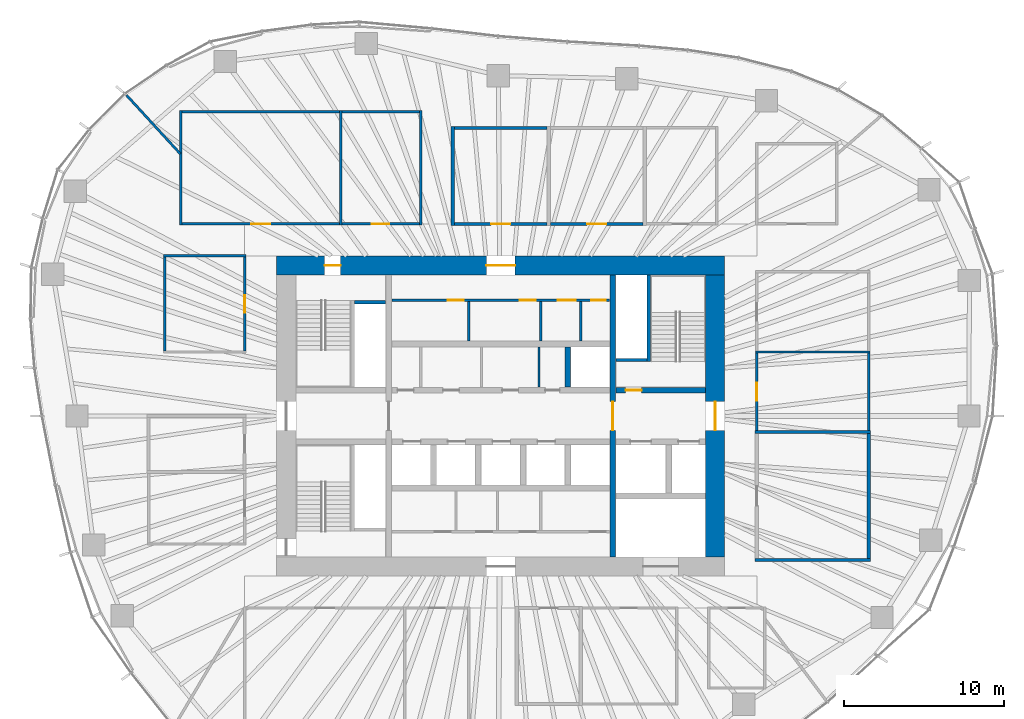
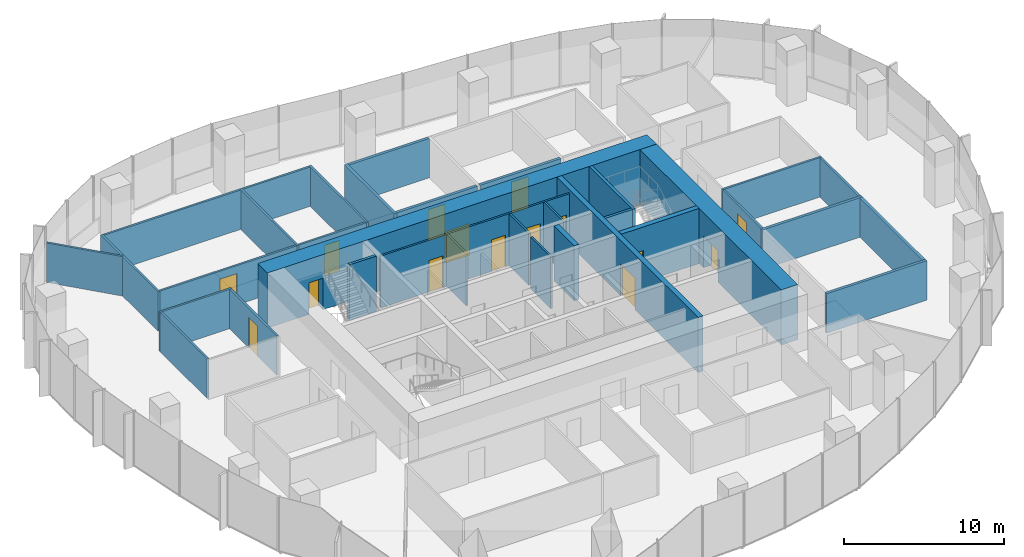
# One storey, part 10 of 18: 34 walls, 15 doors, 15 openings.
"""IFC4 building model written with IfcOpenShell, lengths in metres."""

import ifcopenshell
import ifcopenshell.guid

model = None  # the IFC model being written
_history = None  # IfcOwnerHistory: only IFC2X3 demands one
_inside = {}  # id of a spatial element -> (the spatial element, [elements in it])
_under = {}  # id of a project, library or spatial element -> (it, [spatial elements below it])
_declared = {}  # id of a project -> (the project, [libraries it declares])
_typed = {}  # id of a type object -> (the type object, [elements of that type])
_made_of = {}  # id of a material, layer set ... -> (it, [elements and type objects made of it])


def new_model(schema):
    """Start an empty IFC model of exactly this schema.

    Asked for "IFC4X3", IfcOpenShell would pick the latest addendum, in which some entities
    have other attributes; the version numbers below select the first issue.
    IFC2X3 requires an IfcOwnerHistory on every rooted entity: one is made here for all.
    """
    global model, _history
    if schema == "IFC4X3":
        model = ifcopenshell.file(schema_version=(4, 3, 0, 0))
    else:
        model = ifcopenshell.file(schema=schema)
    _inside.clear()
    _under.clear()
    _declared.clear()
    _typed.clear()
    _made_of.clear()
    _history = None
    if model.schema == "IFC2X3":
        org = make("IfcOrganization", Name="unknown")
        user = make(
            "IfcPersonAndOrganization",
            ThePerson=make("IfcPerson", FamilyName="unknown"),
            TheOrganization=org,
        )
        app = make(
            "IfcApplication",
            ApplicationDeveloper=org,
            Version="unknown",
            ApplicationFullName="unknown",
            ApplicationIdentifier="unknown",
        )
        _history = make(
            "IfcOwnerHistory",
            OwningUser=user,
            OwningApplication=app,
            ChangeAction="ADDED",
            CreationDate=0,
        )
    return model


def make(cls, **values):
    """One entity of the class cls with the attributes given. An attribute that is None is left unset."""
    return model.create_entity(
        cls, **{name: value for name, value in values.items() if value is not None}
    )


def rooted(cls, **values):
    """An entity with a GlobalId (a new one), such as an element, a storey or a relation."""
    return make(cls, GlobalId=ifcopenshell.guid.new(), OwnerHistory=_history, **values)


def si_unit(unit_type, name, prefix=None):
    """IfcSIUnit, for example si_unit("LENGTHUNIT", "METRE", prefix="MILLI")."""
    return make("IfcSIUnit", UnitType=unit_type, Prefix=prefix, Name=name)


def assignment(units):
    """IfcUnitAssignment: the units of a project."""
    return None if units is None else make("IfcUnitAssignment", Units=units)


def point(xyz):
    """IfcCartesianPoint."""
    return None if xyz is None else make("IfcCartesianPoint", Coordinates=xyz)


def direction(xyz):
    """IfcDirection."""
    return None if xyz is None else make("IfcDirection", DirectionRatios=xyz)


def frame(location, z_axis=None, x_axis=None):
    """IfcAxis2Placement3D, a coordinate frame: its origin and axes. An axis left out is left unset."""
    return make(
        "IfcAxis2Placement3D",
        Location=point(location),
        Axis=direction(z_axis),
        RefDirection=direction(x_axis),
    )


def frame_2d(location, x_axis=None):
    """IfcAxis2Placement2D, a coordinate frame in the plane: its origin and x axis."""
    return make(
        "IfcAxis2Placement2D", Location=point(location), RefDirection=direction(x_axis)
    )


def origin():
    """The frame at (0, 0, 0) with its axes left unset."""
    return frame((0.0, 0.0, 0.0))


def place(relative_to, where):
    """IfcLocalPlacement: puts the frame where relative to a parent placement (None: the world)."""
    return make(
        "IfcLocalPlacement", PlacementRelTo=relative_to, RelativePlacement=where
    )


def context(
    kind, dimensions, precision=None, world=None, true_north=None, identifier=None
):
    """IfcGeometricRepresentationContext, for example the 3D "Model" context."""
    return make(
        "IfcGeometricRepresentationContext",
        ContextIdentifier=identifier,
        ContextType=kind,
        CoordinateSpaceDimension=dimensions,
        Precision=precision,
        WorldCoordinateSystem=world,
        TrueNorth=true_north,
    )


def subcontext(parent, identifier, kind, view, scale=None):
    """IfcGeometricRepresentationSubContext, for example "Body" below "Model"."""
    return make(
        "IfcGeometricRepresentationSubContext",
        ContextIdentifier=identifier,
        ContextType=kind,
        ParentContext=parent,
        TargetScale=scale,
        TargetView=view,
    )


def project(units=None, contexts=None):
    """IfcProject with its units and contexts."""
    return rooted(
        "IfcProject",
        Name="project",
        RepresentationContexts=contexts,
        UnitsInContext=assignment(units),
    )


def spatial(cls, under=None, at=None, **own):
    """A site, building, storey or space (cls), placed at a placement, below another one or the project."""
    s = rooted(cls, ObjectPlacement=at, **own)
    if under is not None:
        _under.setdefault(under.id(), (under, []))[1].append(s)
    return s


def profile(cls, at=None, kind="AREA", **sizes):
    """A parametric profile (cls). Its sizes go by their IFC names, for example OverallWidth=200.0."""
    return make(cls, ProfileType=kind, Position=at, **sizes)


def rectangle(**sizes):
    """IfcRectangleProfileDef."""
    return profile("IfcRectangleProfileDef", **sizes)


def extrude(swept, where, along, depth):
    """IfcExtrudedAreaSolid: the profile swept, set in the frame where, extruded along a direction by depth."""
    return make(
        "IfcExtrudedAreaSolid",
        SweptArea=swept,
        Position=where,
        ExtrudedDirection=direction(along),
        Depth=depth,
    )


def shape(context_of_items, identifier, shape_type, items):
    """IfcShapeRepresentation: the items that make up one representation, for example the "Body"."""
    return make(
        "IfcShapeRepresentation",
        ContextOfItems=context_of_items,
        RepresentationIdentifier=identifier,
        RepresentationType=shape_type,
        Items=items,
    )


def material(Name=None, Category=None):
    """IfcMaterial."""
    return make("IfcMaterial", Name=Name, Category=Category)


def layer(
    of_material, thickness, ventilated=None, Name=None, Category=None, Priority=None
):
    """IfcMaterialLayer: one layer of a wall or slab, of a material (None: an air gap)."""
    return make(
        "IfcMaterialLayer",
        Material=of_material,
        LayerThickness=thickness,
        IsVentilated=ventilated,
        Name=Name,
        Category=Category,
        Priority=Priority,
    )


def layer_set(layers, Name=None):
    """IfcMaterialLayerSet."""
    return make("IfcMaterialLayerSet", MaterialLayers=layers, LayerSetName=Name)


def made_of(thing, what):
    """Note that an element or type object is made of a material, layer set ...; save() writes the relation."""
    if what is not None:
        _made_of.setdefault(what.id(), (what, []))[1].append(thing)
    return thing


def type_object(cls, material=None, **own):
    """A type object (cls), such as IfcWallType, which elements share."""
    return made_of(rooted(cls, **own), material)


def element(
    cls,
    number,
    at=None,
    inside=None,
    cuts=None,
    type_object=None,
    material=None,
    context=None,
    identifier="Body",
    shape_type=None,
    held_by="IfcProductDefinitionShape",
    body=None,
    shapes=None,
    **own,
):
    """One element of the class cls, such as IfcWall. Its Tag is "e" and its number.

    at: its placement. inside: the storey or other place that contains it. cuts: it is an
    opening in that element (IfcRelVoidsElement). A single representation is given by context,
    identifier, shape_type and body (its items); several are given by shapes. held_by: the class
    of the entity that holds the representations. save() writes the other relations.
    """
    e = rooted(cls, Tag="e%d" % number, ObjectPlacement=at, **own)
    if body is not None:
        shapes = [shape(context, identifier, shape_type, body)]
    if shapes is not None:
        e.Representation = make(held_by, Representations=shapes)
    if inside is not None:
        _inside.setdefault(inside.id(), (inside, []))[1].append(e)
    if cuts is not None:
        rooted(
            "IfcRelVoidsElement", RelatingBuildingElement=cuts, RelatedOpeningElement=e
        )
    if type_object is not None:
        _typed.setdefault(type_object.id(), (type_object, []))[1].append(e)
    return made_of(e, material)


def fill(opening, filler):
    """IfcRelFillsElement: the door or window that sits in an opening."""
    return rooted(
        "IfcRelFillsElement",
        RelatingOpeningElement=opening,
        RelatedBuildingElement=filler,
    )


def aggregate(whole, parts):
    """IfcRelAggregates: a whole, such as a stair, and the parts it consists of."""
    return rooted("IfcRelAggregates", RelatingObject=whole, RelatedObjects=parts)


def save(model, path):
    """Write the relations noted so far, then the file.

    IfcRelAggregates (storeys below a building ...), IfcRelContainedInSpatialStructure (elements
    in a storey), IfcRelDefinesByType, IfcRelAssociatesMaterial and IfcRelDeclares: one each for
    every whole, place, type object, material and project.
    """
    for whole, parts in _under.values():
        aggregate(whole, parts)
    for where, things in _inside.values():
        rooted(
            "IfcRelContainedInSpatialStructure",
            RelatedElements=things,
            RelatingStructure=where,
        )
    for kind, things in _typed.values():
        rooted("IfcRelDefinesByType", RelatedObjects=things, RelatingType=kind)
    for what, things in _made_of.values():
        rooted("IfcRelAssociatesMaterial", RelatedObjects=things, RelatingMaterial=what)
    for by, libraries in _declared.values():
        rooted("IfcRelDeclares", RelatingContext=by, RelatedDefinitions=libraries)
    model.write(path)


model = new_model("IFC4")

# Units and contexts
model_context = context("Model", 3, precision=1e-05, world=origin(), true_north=direction((0.0, 1.0)))
body_context = subcontext(model_context, "Body", "Model", "MODEL_VIEW")
ifc_project = project(units=[si_unit("LENGTHUNIT", "METRE"), si_unit("AREAUNIT", "SQUARE_METRE"), si_unit("VOLUMEUNIT", "CUBIC_METRE"), si_unit("PLANEANGLEUNIT", "RADIAN"), si_unit("MASSUNIT", "GRAM", prefix="KILO")], contexts=[model_context])

# Site, building, storey
site_placement = place(None, origin())
site = spatial("IfcSite", under=ifc_project, at=site_placement, CompositionType="ELEMENT")
building_placement = place(site_placement, origin())
building = spatial("IfcBuilding", under=site, at=building_placement, Name="Ghaith Harvest Tower", CompositionType="ELEMENT")
storey_placement = place(building_placement, frame((0.0, 0.0, 159.60009765625)))
storey = spatial("IfcBuildingStorey", under=building, at=storey_placement, Name="L34", CompositionType="ELEMENT", Elevation=159.60009765625)

# Wall
ifc_material_1 = material(Name="Twin-stud gypsum board, acoustic", Category="gypsum")
ifc_layer_1 = layer(ifc_material_1, 0.199951171875)
ifc_layer_set_1 = layer_set([ifc_layer_1], Name="ACOUSTIC PARTITION 200")
wall_type_1 = type_object("IfcWallType", Name="ACOUSTIC PARTITION 200", PredefinedType="PARTITIONING", material=ifc_layer_set_1)
wall_1_placement = place(storey_placement, frame((-3.0, 11.89990234375, 0.0), z_axis=(0.0, 0.0, 1.0), x_axis=(0.0, 1.0, 0.0)))
element("IfcWall", 1, at=wall_1_placement, inside=storey, type_object=wall_type_1, Name="Partition L34 row N4 cross wall 1", PredefinedType="PARTITIONING", context=body_context, shape_type="SweptSolid", body=[
    extrude(rectangle(XDim=6.2001953125, YDim=0.199951171875, at=frame_2d((3.10009765625, 0.0))), origin(), (0.0, 0.0, 1.0), 3.0),
])

# Wall, opening, door
wall_2_placement = place(storey_placement, frame((-2.89990234375, 12.0, 0.0), z_axis=(0.0, 0.0, 1.0), x_axis=(1.0, 0.0, 0.0)))
wall_2 = element("IfcWall", 2, at=wall_2_placement, inside=storey, type_object=wall_type_1, Name="Partition L34-07", PredefinedType="PARTITIONING", context=body_context, shape_type="SweptSolid", body=[
    extrude(rectangle(XDim=5.7998046875, YDim=0.199951171875, at=frame_2d((2.89990234375, 0.0))), origin(), (0.0, 0.0, 1.0), 3.0),
])
opening_1_placement = place(wall_2_placement, frame((2.300048828125, 0.0, 0.0)))
opening_1 = element("IfcOpeningElement", 3, at=opening_1_placement, cuts=wall_2, Name="Opening 34-035", PredefinedType="OPENING", context=body_context, shape_type="SweptSolid", body=[
    extrude(rectangle(XDim=1.199951171875, YDim=2.39990234375, at=frame_2d((0.60009765625, 1.199951171875))), frame((0.0, 0.10986328125, 0.0), z_axis=(0.0, -1.0, 0.0), x_axis=(1.0, 0.0, 0.0)), (0.0, 0.0, 1.0), 0.219970703125),
])
ifc_material_2 = material(Name="Timber door", Category="wood")
door_type_1 = type_object("IfcDoorType", Name="D11 GLAZED 1200x2400", OperationType="SINGLE_SWING_LEFT", PredefinedType="DOOR", material=ifc_material_2)
door_1_placement = place(opening_1_placement, origin())
door_1 = element("IfcDoor", 4, at=door_1_placement, inside=storey, type_object=door_type_1, Name="Meeting room door", OperationType="SINGLE_SWING_LEFT", OverallHeight=2.39990234375, OverallWidth=1.199951171875, PredefinedType="DOOR", context=body_context, shape_type="SweptSolid", body=[
    extrude(rectangle(XDim=1.199951171875, YDim=2.39990234375, at=frame_2d((0.60009765625, 1.199951171875))), frame((0.0, 0.02490234375, 0.0), z_axis=(0.0, -1.0, 0.0), x_axis=(1.0, 0.0, 0.0)), (0.0, 0.0, 1.0), 0.050048828125),
])
fill(opening_1, door_1)

# Wall
wall_3_placement = place(storey_placement, frame((-2.89990234375, 18.0, 0.0), z_axis=(0.0, 0.0, 1.0), x_axis=(1.0, 0.0, 0.0)))
element("IfcWall", 5, at=wall_3_placement, inside=storey, type_object=wall_type_1, Name="Partition L34-07", PredefinedType="PARTITIONING", context=body_context, shape_type="SweptSolid", body=[
    extrude(rectangle(XDim=5.7998046875, YDim=0.199951171875, at=frame_2d((2.89990234375, 0.0))), origin(), (0.0, 0.0, 1.0), 3.0),
])

# Wall, opening, door
wall_4_placement = place(storey_placement, frame((3.10009765625, 12.0, 0.0), z_axis=(0.0, 0.0, 1.0), x_axis=(1.0, 0.0, 0.0)))
wall_4 = element("IfcWall", 6, at=wall_4_placement, inside=storey, type_object=wall_type_1, Name="Partition L34-08", PredefinedType="PARTITIONING", context=body_context, shape_type="SweptSolid", body=[
    extrude(rectangle(XDim=5.7998046875, YDim=0.199951171875, at=frame_2d((2.89990234375, 0.0))), origin(), (0.0, 0.0, 1.0), 3.0),
])
opening_2_placement = place(wall_4_placement, frame((2.300048828125, 0.0, 0.0)))
opening_2 = element("IfcOpeningElement", 7, at=opening_2_placement, cuts=wall_4, Name="Opening 34-036", PredefinedType="OPENING", context=body_context, shape_type="SweptSolid", body=[
    extrude(rectangle(XDim=1.199951171875, YDim=2.39990234375, at=frame_2d((0.60009765625, 1.199951171875))), frame((0.0, 0.10986328125, 0.0), z_axis=(0.0, -1.0, 0.0), x_axis=(1.0, 0.0, 0.0)), (0.0, 0.0, 1.0), 0.219970703125),
])
door_2_placement = place(opening_2_placement, origin())
door_2 = element("IfcDoor", 8, at=door_2_placement, inside=storey, type_object=door_type_1, Name="Meeting room door", OperationType="SINGLE_SWING_LEFT", OverallHeight=2.39990234375, OverallWidth=1.199951171875, PredefinedType="DOOR", context=body_context, shape_type="SweptSolid", body=[
    extrude(rectangle(XDim=1.199951171875, YDim=2.39990234375, at=frame_2d((0.60009765625, 1.199951171875))), frame((0.0, 0.02490234375, 0.0), z_axis=(0.0, -1.0, 0.0), x_axis=(1.0, 0.0, 0.0)), (0.0, 0.0, 1.0), 0.050048828125),
])
fill(opening_2, door_2)

# Walls
for number, where, z_axis, x_axis, name in (
    (9, (15.89990234375, -9.0, 0.0), (0.0, 0.0, 1.0), (1.0, 0.0, 0.0), "Partition L34 row E5 cross wall 1"),
    (10, (15.89990234375, -1.0, 0.0), (0.0, 0.0, 1.0), (1.0, 0.0, 0.0), "Partition L34 row E5 cross wall 2"),
):
    element("IfcWall", number, at=place(storey_placement, frame(where, z_axis=z_axis, x_axis=x_axis)), inside=storey, type_object=wall_type_1, Name=name, PredefinedType="PARTITIONING", context=body_context, shape_type="SweptSolid", body=[
        extrude(rectangle(XDim=7.2001953125, YDim=0.199951171875, at=frame_2d((3.60009765625, 0.0))), origin(), (0.0, 0.0, 1.0), 3.0),
    ])
wall_5_placement = place(storey_placement, frame((23.0, -8.89990234375, 0.0), z_axis=(0.0, 0.0, 1.0), x_axis=(0.0, 1.0, 0.0)))
element("IfcWall", 11, at=wall_5_placement, inside=storey, type_object=wall_type_1, Name="Partition L34-10", PredefinedType="PARTITIONING", context=body_context, shape_type="SweptSolid", body=[
    extrude(rectangle(XDim=7.7998046875, YDim=0.199951171875, at=frame_2d((3.89990234375, 0.0))), origin(), (0.0, 0.0, 1.0), 3.0),
])

# Wall, openings, doors
ifc_material_3 = material(Name="Concrete blockwork, fair-faced", Category="masonry")
ifc_layer_2 = layer(ifc_material_3, 0.139892578125)
ifc_layer_set_2 = layer_set([ifc_layer_2], Name="CORE PARTITION 140")
wall_type_2 = type_object("IfcWallType", Name="CORE PARTITION 140", PredefinedType="PARTITIONING", material=ifc_layer_set_2)
wall_6_placement = place(storey_placement, frame((-6.800048828125, 7.22998046875, 0.0), z_axis=(0.0, 0.0, 1.0), x_axis=(1.0, 0.0, 0.0)))
wall_6 = element("IfcWall", 12, at=wall_6_placement, inside=storey, type_object=wall_type_2, Name="Core partition L34", PredefinedType="PARTITIONING", context=body_context, shape_type="SweptSolid", body=[
    extrude(rectangle(XDim=13.60009765625, YDim=0.139892578125, at=frame_2d((6.800048828125, 0.0))), origin(), (0.0, 0.0, 1.0), 3.949951171875),
])
opening_3_placement = place(wall_6_placement, frame((3.47998046875, 0.0, 0.0)))
opening_3 = element("IfcOpeningElement", 13, at=opening_3_placement, cuts=wall_6, Name="Opening 34-008", PredefinedType="OPENING", context=body_context, shape_type="SweptSolid", body=[
    extrude(rectangle(XDim=1.0, YDim=2.39990234375, at=frame_2d((0.5, 1.199951171875))), frame((0.0, 0.080078125, 0.0), z_axis=(0.0, -1.0, 0.0), x_axis=(1.0, 0.0, 0.0)), (0.0, 0.0, 1.0), 0.159912109375),
])
opening_4_placement = place(wall_6_placement, frame((7.97998046875, 0.0, 0.0)))
opening_4 = element("IfcOpeningElement", 14, at=opening_4_placement, cuts=wall_6, Name="Opening 34-009", PredefinedType="OPENING", context=body_context, shape_type="SweptSolid", body=[
    extrude(rectangle(XDim=1.0, YDim=2.39990234375, at=frame_2d((0.5, 1.199951171875))), frame((0.0, 0.080078125, 0.0), z_axis=(0.0, -1.0, 0.0), x_axis=(1.0, 0.0, 0.0)), (0.0, 0.0, 1.0), 0.159912109375),
])
opening_5_placement = place(wall_6_placement, frame((10.3798828125, 0.0, 0.0)))
opening_5 = element("IfcOpeningElement", 15, at=opening_5_placement, cuts=wall_6, Name="Opening 34-010", PredefinedType="OPENING", context=body_context, shape_type="SweptSolid", body=[
    extrude(rectangle(XDim=1.10009765625, YDim=2.39990234375, at=frame_2d((0.550048828125, 1.199951171875))), frame((0.0, 0.080078125, 0.0), z_axis=(0.0, -1.0, 0.0), x_axis=(1.0, 0.0, 0.0)), (0.0, 0.0, 1.0), 0.159912109375),
])
opening_6_placement = place(wall_6_placement, frame((12.449951171875, 0.0, 0.0)))
opening_6 = element("IfcOpeningElement", 16, at=opening_6_placement, cuts=wall_6, Name="Opening 34-011", PredefinedType="OPENING", context=body_context, shape_type="SweptSolid", body=[
    extrude(rectangle(XDim=0.89990234375, YDim=2.39990234375, at=frame_2d((0.449951171875, 1.199951171875))), frame((0.0, 0.080078125, 0.0), z_axis=(0.0, -1.0, 0.0), x_axis=(1.0, 0.0, 0.0)), (0.0, 0.0, 1.0), 0.159912109375),
])
ifc_material_4 = material(Name="Steel fire door", Category="steel")
door_type_2 = type_object("IfcDoorType", Name="D3 FD90 1000x2400", OperationType="SINGLE_SWING_LEFT", PredefinedType="DOOR", material=ifc_material_4)
door_3_placement = place(opening_3_placement, origin())
door_3 = element("IfcDoor", 17, at=door_3_placement, inside=storey, type_object=door_type_2, Name="Male WC door", OperationType="SINGLE_SWING_LEFT", OverallHeight=2.39990234375, OverallWidth=1.0, PredefinedType="DOOR", context=body_context, shape_type="SweptSolid", body=[
    extrude(rectangle(XDim=1.0, YDim=2.39990234375, at=frame_2d((0.5, 1.199951171875))), frame((0.0, 0.02490234375, 0.0), z_axis=(0.0, -1.0, 0.0), x_axis=(1.0, 0.0, 0.0)), (0.0, 0.0, 1.0), 0.050048828125),
])
fill(opening_3, door_3)
door_4_placement = place(opening_4_placement, origin())
door_4 = element("IfcDoor", 18, at=door_4_placement, inside=storey, type_object=door_type_2, Name="Female WC door", OperationType="SINGLE_SWING_RIGHT", OverallHeight=2.39990234375, OverallWidth=1.0, PredefinedType="DOOR", context=body_context, shape_type="SweptSolid", body=[
    extrude(rectangle(XDim=1.0, YDim=2.39990234375, at=frame_2d((0.5, 1.199951171875))), frame((0.0, 0.02490234375, 0.0), z_axis=(0.0, -1.0, 0.0), x_axis=(1.0, 0.0, 0.0)), (0.0, 0.0, 1.0), 0.050048828125),
])
fill(opening_4, door_4)
ifc_material_5 = material(Name="Steel fire door", Category="steel")
door_type_3 = type_object("IfcDoorType", Name="D5 FD90 900x2400", OperationType="SINGLE_SWING_LEFT", PredefinedType="DOOR", material=ifc_material_5)
door_5_placement = place(opening_6_placement, origin())
door_5 = element("IfcDoor", 19, at=door_5_placement, inside=storey, type_object=door_type_3, Name="Cleaner's store door", OperationType="SINGLE_SWING_RIGHT", OverallHeight=2.39990234375, OverallWidth=0.89990234375, PredefinedType="DOOR", context=body_context, shape_type="SweptSolid", body=[
    extrude(rectangle(XDim=0.89990234375, YDim=2.39990234375, at=frame_2d((0.449951171875, 1.199951171875))), frame((0.0, 0.02490234375, 0.0), z_axis=(0.0, -1.0, 0.0), x_axis=(1.0, 0.0, 0.0)), (0.0, 0.0, 1.0), 0.050048828125),
])
fill(opening_6, door_5)
ifc_material_6 = material(Name="Steel fire door", Category="steel")
door_type_4 = type_object("IfcDoorType", Name="D9 FD90 1100x2400", OperationType="SINGLE_SWING_LEFT", PredefinedType="DOOR", material=ifc_material_6)
door_6_placement = place(opening_5_placement, origin())
door_6 = element("IfcDoor", 20, at=door_6_placement, inside=storey, type_object=door_type_4, Name="Accessible WC door", OperationType="SINGLE_SWING_RIGHT", OverallHeight=2.39990234375, OverallWidth=1.10009765625, PredefinedType="DOOR", context=body_context, shape_type="SweptSolid", body=[
    extrude(rectangle(XDim=1.10009765625, YDim=2.39990234375, at=frame_2d((0.550048828125, 1.199951171875))), frame((0.0, 0.02490234375, 0.0), z_axis=(0.0, -1.0, 0.0), x_axis=(1.0, 0.0, 0.0)), (0.0, 0.0, 1.0), 0.050048828125),
])
fill(opening_5, door_6)

# Walls
for number, where, z_axis, x_axis, name in (
    (21, (-2.0, 4.699951171875, 0.0), (0.0, 0.0, 1.0), (0.0, 1.0, 0.0), "Core partition L34"),
    (22, (2.5, 4.699951171875, 0.0), (0.0, 0.0, 1.0), (0.0, 1.0, 0.0), "Core partition L34"),
    (23, (5.0, 4.699951171875, 0.0), (0.0, 0.0, 1.0), (0.0, 1.0, 0.0), "Core partition L34"),
):
    element("IfcWall", number, at=place(storey_placement, frame(where, z_axis=z_axis, x_axis=x_axis)), inside=storey, type_object=wall_type_2, Name=name, PredefinedType="PARTITIONING", context=body_context, shape_type="SweptSolid", body=[
        extrude(rectangle(XDim=2.4599609375, YDim=0.139892578125, at=frame_2d((1.22998046875, 0.0))), origin(), (0.0, 0.0, 1.0), 3.949951171875),
    ])
wall_7_placement = place(storey_placement, frame((2.39990234375, 1.800048828125, 0.0), z_axis=(0.0, 0.0, 1.0), x_axis=(0.0, 1.0, 0.0)))
element("IfcWall", 24, at=wall_7_placement, inside=storey, type_object=wall_type_2, Name="Core partition L34", PredefinedType="PARTITIONING", context=body_context, shape_type="SweptSolid", body=[
    extrude(rectangle(XDim=2.5, YDim=0.139892578125, at=frame_2d((1.25, 0.0))), origin(), (0.0, 0.0, 1.0), 3.949951171875),
])

# Wall, openings, doors
ifc_material_7 = material(Name="Concrete C60/75", Category="concrete")
ifc_layer_3 = layer(ifc_material_7, 1.199951171875)
ifc_layer_set_3 = layer_set([ifc_layer_3], Name="CORE WALL CW1200 C60")
wall_type_3 = type_object("IfcWallType", Name="CORE WALL CW1200 C60", PredefinedType="SHEAR", material=ifc_layer_set_3)
wall_8_placement = place(storey_placement, frame((14.0, 9.39990234375, 0.0), z_axis=(0.0, 0.0, 1.0), x_axis=(-1.0, 0.0, 0.0)))
wall_8 = element("IfcWall", 25, at=wall_8_placement, inside=storey, type_object=wall_type_3, Name="Core wall N L34", PredefinedType="SHEAR", context=body_context, shape_type="SweptSolid", body=[
    extrude(rectangle(XDim=28.0, YDim=1.199951171875, at=frame_2d((14.0, 0.0))), origin(), (0.0, 0.0, 1.0), 4.199951171875),
])
opening_7_placement = place(wall_8_placement, frame((24.0, 0.0, 0.0)))
opening_7 = element("IfcOpeningElement", 26, at=opening_7_placement, cuts=wall_8, Name="Opening 34-005", PredefinedType="OPENING", context=body_context, shape_type="SweptSolid", body=[
    extrude(rectangle(XDim=1.0, YDim=2.39990234375, at=frame_2d((0.5, 1.199951171875))), frame((0.0, 0.60986328125, 0.0), z_axis=(0.0, -1.0, 0.0), x_axis=(1.0, 0.0, 0.0)), (0.0, 0.0, 1.0), 1.219970703125),
])
opening_8_placement = place(wall_8_placement, frame((13.10009765625, 0.0, 0.0)))
opening_8 = element("IfcOpeningElement", 27, at=opening_8_placement, cuts=wall_8, Name="Opening 34-020", PredefinedType="OPENING", context=body_context, shape_type="SweptSolid", body=[
    extrude(rectangle(XDim=1.800048828125, YDim=2.39990234375, at=frame_2d((0.89990234375, 1.199951171875))), frame((0.0, 0.60986328125, 0.0), z_axis=(0.0, -1.0, 0.0), x_axis=(1.0, 0.0, 0.0)), (0.0, 0.0, 1.0), 1.219970703125),
])
door_7_placement = place(opening_7_placement, origin())
door_7 = element("IfcDoor", 28, at=door_7_placement, inside=storey, type_object=door_type_2, Name="Stair ST1 door", OperationType="SINGLE_SWING_RIGHT", OverallHeight=2.39990234375, OverallWidth=1.0, PredefinedType="DOOR", context=body_context, shape_type="SweptSolid", body=[
    extrude(rectangle(XDim=1.0, YDim=2.39990234375, at=frame_2d((0.5, 1.199951171875))), frame((0.0, 0.02490234375, 0.0), z_axis=(0.0, -1.0, 0.0), x_axis=(1.0, 0.0, 0.0)), (0.0, 0.0, 1.0), 0.050048828125),
])
fill(opening_7, door_7)
ifc_material_8 = material(Name="Steel fire door", Category="steel")
door_type_5 = type_object("IfcDoorType", Name="D4 FD90 PAIR 1800x2400", OperationType="DOUBLE_DOOR_SINGLE_SWING", PredefinedType="DOOR", material=ifc_material_8)
door_8_placement = place(opening_8_placement, origin())
door_8 = element("IfcDoor", 29, at=door_8_placement, inside=storey, type_object=door_type_5, Name="Core service corridor doors", OperationType="DOUBLE_DOOR_SINGLE_SWING", OverallHeight=2.39990234375, OverallWidth=1.800048828125, PredefinedType="DOOR", context=body_context, shape_type="SweptSolid", body=[
    extrude(rectangle(XDim=1.800048828125, YDim=2.39990234375, at=frame_2d((0.89990234375, 1.199951171875))), frame((0.0, 0.02490234375, 0.0), z_axis=(0.0, -1.0, 0.0), x_axis=(1.0, 0.0, 0.0)), (0.0, 0.0, 1.0), 0.050048828125),
])
fill(opening_8, door_8)

# Wall, opening, door
wall_9_placement = place(storey_placement, frame((13.39990234375, -8.800048828125, 0.0), z_axis=(0.0, 0.0, 1.0), x_axis=(0.0, 1.0, 0.0)))
wall_9 = element("IfcWall", 30, at=wall_9_placement, inside=storey, type_object=wall_type_3, Name="Core wall E L34", PredefinedType="SHEAR", context=body_context, shape_type="SweptSolid", body=[
    extrude(rectangle(XDim=17.60009765625, YDim=1.199951171875, at=frame_2d((8.800048828125, 0.0))), origin(), (0.0, 0.0, 1.0), 4.199951171875),
])
opening_9_placement = place(wall_9_placement, frame((7.89990234375, 0.0, 0.0)))
opening_9 = element("IfcOpeningElement", 31, at=opening_9_placement, cuts=wall_9, Name="Opening 34-002", PredefinedType="OPENING", context=body_context, shape_type="SweptSolid", body=[
    extrude(rectangle(XDim=1.800048828125, YDim=2.39990234375, at=frame_2d((0.89990234375, 1.199951171875))), frame((0.0, 0.60986328125, 0.0), z_axis=(0.0, -1.0, 0.0), x_axis=(1.0, 0.0, 0.0)), (0.0, 0.0, 1.0), 1.219970703125),
])
door_9_placement = place(opening_9_placement, origin())
door_9 = element("IfcDoor", 32, at=door_9_placement, inside=storey, type_object=door_type_5, Name="Fire-fighting lobby doors", OperationType="DOUBLE_DOOR_SINGLE_SWING", OverallHeight=2.39990234375, OverallWidth=1.800048828125, PredefinedType="DOOR", context=body_context, shape_type="SweptSolid", body=[
    extrude(rectangle(XDim=1.800048828125, YDim=2.39990234375, at=frame_2d((0.89990234375, 1.199951171875))), frame((0.0, 0.02490234375, 0.0), z_axis=(0.0, -1.0, 0.0), x_axis=(1.0, 0.0, 0.0)), (0.0, 0.0, 1.0), 0.050048828125),
])
fill(opening_9, door_9)

# Walls
ifc_material_9 = material(Name="Gypsum board on steel studs", Category="steel")
ifc_layer_4 = layer(ifc_material_9, 0.14990234375)
ifc_layer_set_4 = layer_set([ifc_layer_4], Name="PARTITION 150")
wall_type_4 = type_object("IfcWallType", Name="PARTITION 150", PredefinedType="PARTITIONING", material=ifc_layer_set_4)
for number, where, z_axis, x_axis, name in (
    (33, (-20.0, 11.925048828125, 0.0), (0.0, 0.0, 1.0), (0.0, 1.0, 0.0), "Partition L34 row N3 cross wall 1"),
    (34, (-10.0, 11.925048828125, 0.0), (0.0, 0.0, 1.0), (0.0, 1.0, 0.0), "Partition L34 row N3 cross wall 2"),
    (35, (-5.0, 11.925048828125, 0.0), (0.0, 0.0, 1.0), (0.0, 1.0, 0.0), "Partition L34 row N3 cross wall 3"),
):
    element("IfcWall", number, at=place(storey_placement, frame(where, z_axis=z_axis, x_axis=x_axis)), inside=storey, type_object=wall_type_4, Name=name, PredefinedType="PARTITIONING", context=body_context, shape_type="SweptSolid", body=[
        extrude(rectangle(XDim=7.14990234375, YDim=0.14990234375, at=frame_2d((3.574951171875, 0.0))), origin(), (0.0, 0.0, 1.0), 3.0),
    ])

# Wall, opening, door
wall_10_placement = place(storey_placement, frame((-19.925048828125, 12.0, 0.0), z_axis=(0.0, 0.0, 1.0), x_axis=(1.0, 0.0, 0.0)))
wall_10 = element("IfcWall", 36, at=wall_10_placement, inside=storey, type_object=wall_type_4, Name="Partition L34-05", PredefinedType="PARTITIONING", context=body_context, shape_type="SweptSolid", body=[
    extrude(rectangle(XDim=9.85009765625, YDim=0.14990234375, at=frame_2d((4.925048828125, 0.0))), origin(), (0.0, 0.0, 1.0), 3.0),
])
opening_10_placement = place(wall_10_placement, frame((4.324951171875, 0.0, 0.0)))
opening_10 = element("IfcOpeningElement", 37, at=opening_10_placement, cuts=wall_10, Name="Opening 34-033", PredefinedType="OPENING", context=body_context, shape_type="SweptSolid", body=[
    extrude(rectangle(XDim=1.199951171875, YDim=2.39990234375, at=frame_2d((0.60009765625, 1.199951171875))), frame((0.0, 0.0849609375, 0.0), z_axis=(0.0, -1.0, 0.0), x_axis=(1.0, 0.0, 0.0)), (0.0, 0.0, 1.0), 0.169921875),
])
door_10_placement = place(opening_10_placement, origin())
door_10 = element("IfcDoor", 38, at=door_10_placement, inside=storey, type_object=door_type_1, Name="Design studio door", OperationType="SINGLE_SWING_LEFT", OverallHeight=2.39990234375, OverallWidth=1.199951171875, PredefinedType="DOOR", context=body_context, shape_type="SweptSolid", body=[
    extrude(rectangle(XDim=1.199951171875, YDim=2.39990234375, at=frame_2d((0.60009765625, 1.199951171875))), frame((0.0, 0.02490234375, 0.0), z_axis=(0.0, -1.0, 0.0), x_axis=(1.0, 0.0, 0.0)), (0.0, 0.0, 1.0), 0.050048828125),
])
fill(opening_10, door_10)

# Wall
wall_11_placement = place(storey_placement, frame((-19.925048828125, 19.0, 0.0), z_axis=(0.0, 0.0, 1.0), x_axis=(1.0, 0.0, 0.0)))
element("IfcWall", 39, at=wall_11_placement, inside=storey, type_object=wall_type_4, Name="Partition L34-05", PredefinedType="PARTITIONING", context=body_context, shape_type="SweptSolid", body=[
    extrude(rectangle(XDim=9.85009765625, YDim=0.14990234375, at=frame_2d((4.925048828125, 0.0))), origin(), (0.0, 0.0, 1.0), 3.0),
])

# Wall, opening, door
wall_12_placement = place(storey_placement, frame((-9.925048828125, 12.0, 0.0), z_axis=(0.0, 0.0, 1.0), x_axis=(1.0, 0.0, 0.0)))
wall_12 = element("IfcWall", 40, at=wall_12_placement, inside=storey, type_object=wall_type_4, Name="Partition L34-06", PredefinedType="PARTITIONING", context=body_context, shape_type="SweptSolid", body=[
    extrude(rectangle(XDim=4.85009765625, YDim=0.14990234375, at=frame_2d((2.425048828125, 0.0))), origin(), (0.0, 0.0, 1.0), 3.0),
])
opening_11_placement = place(wall_12_placement, frame((1.875, 0.0, 0.0)))
opening_11 = element("IfcOpeningElement", 41, at=opening_11_placement, cuts=wall_12, Name="Opening 34-034", PredefinedType="OPENING", context=body_context, shape_type="SweptSolid", body=[
    extrude(rectangle(XDim=1.10009765625, YDim=2.300048828125, at=frame_2d((0.550048828125, 1.14990234375))), frame((0.0, 0.0849609375, 0.0), z_axis=(0.0, -1.0, 0.0), x_axis=(1.0, 0.0, 0.0)), (0.0, 0.0, 1.0), 0.169921875),
])
ifc_material_10 = material(Name="Timber-framed glazed door", Category="wood")
door_type_6 = type_object("IfcDoorType", Name="D12 GLAZED OFFICE 1100x2300", OperationType="SINGLE_SWING_LEFT", PredefinedType="DOOR", material=ifc_material_10)
door_11_placement = place(opening_11_placement, origin())
door_11 = element("IfcDoor", 42, at=door_11_placement, inside=storey, type_object=door_type_6, Name="Office door", OperationType="SINGLE_SWING_LEFT", OverallHeight=2.300048828125, OverallWidth=1.10009765625, PredefinedType="DOOR", context=body_context, shape_type="SweptSolid", body=[
    extrude(rectangle(XDim=1.10009765625, YDim=2.300048828125, at=frame_2d((0.550048828125, 1.14990234375))), frame((0.0, 0.02490234375, 0.0), z_axis=(0.0, -1.0, 0.0), x_axis=(1.0, 0.0, 0.0)), (0.0, 0.0, 1.0), 0.050048828125),
])
fill(opening_11, door_11)

# Walls
wall_13_placement = place(storey_placement, frame((-9.925048828125, 19.0, 0.0), z_axis=(0.0, 0.0, 1.0), x_axis=(1.0, 0.0, 0.0)))
element("IfcWall", 43, at=wall_13_placement, inside=storey, type_object=wall_type_4, Name="Partition L34-06", PredefinedType="PARTITIONING", context=body_context, shape_type="SweptSolid", body=[
    extrude(rectangle(XDim=4.85009765625, YDim=0.14990234375, at=frame_2d((2.425048828125, 0.0))), origin(), (0.0, 0.0, 1.0), 3.0),
])
wall_14_placement = place(storey_placement, frame((15.925048828125, 4.0, 0.0), z_axis=(0.0, 0.0, 1.0), x_axis=(1.0, 0.0, 0.0)))
element("IfcWall", 44, at=wall_14_placement, inside=storey, type_object=wall_type_4, Name="Partition L34 row E5 cross wall 3", PredefinedType="PARTITIONING", context=body_context, shape_type="SweptSolid", body=[
    extrude(rectangle(XDim=7.14990234375, YDim=0.14990234375, at=frame_2d((3.574951171875, 0.0))), origin(), (0.0, 0.0, 1.0), 3.0),
])

# Wall, opening, door
wall_15_placement = place(storey_placement, frame((16.0, -0.89990234375, 0.0), z_axis=(0.0, 0.0, 1.0), x_axis=(0.0, 1.0, 0.0)))
wall_15 = element("IfcWall", 45, at=wall_15_placement, inside=storey, type_object=wall_type_4, Name="Partition L34-11", PredefinedType="PARTITIONING", context=body_context, shape_type="SweptSolid", body=[
    extrude(rectangle(XDim=4.824951171875, YDim=0.14990234375, at=frame_2d((2.41259765625, 0.0))), origin(), (0.0, 0.0, 1.0), 3.0),
])
opening_12_placement = place(wall_15_placement, frame((1.862548828125, 0.0, 0.0)))
opening_12 = element("IfcOpeningElement", 46, at=opening_12_placement, cuts=wall_15, Name="Opening 34-039", PredefinedType="OPENING", context=body_context, shape_type="SweptSolid", body=[
    extrude(rectangle(XDim=1.10009765625, YDim=2.300048828125, at=frame_2d((0.550048828125, 1.14990234375))), frame((0.0, 0.0849609375, 0.0), z_axis=(0.0, -1.0, 0.0), x_axis=(1.0, 0.0, 0.0)), (0.0, 0.0, 1.0), 0.169921875),
])
door_12_placement = place(opening_12_placement, origin())
door_12 = element("IfcDoor", 47, at=door_12_placement, inside=storey, type_object=door_type_6, Name="Office door", OperationType="SINGLE_SWING_LEFT", OverallHeight=2.300048828125, OverallWidth=1.10009765625, PredefinedType="DOOR", context=body_context, shape_type="SweptSolid", body=[
    extrude(rectangle(XDim=1.10009765625, YDim=2.300048828125, at=frame_2d((0.550048828125, 1.14990234375))), frame((0.0, 0.02490234375, 0.0), z_axis=(0.0, -1.0, 0.0), x_axis=(1.0, 0.0, 0.0)), (0.0, 0.0, 1.0), 0.050048828125),
])
fill(opening_12, door_12)

# Walls
wall_16_placement = place(storey_placement, frame((23.0, -0.89990234375, 0.0), z_axis=(0.0, 0.0, 1.0), x_axis=(0.0, 1.0, 0.0)))
element("IfcWall", 48, at=wall_16_placement, inside=storey, type_object=wall_type_4, Name="Partition L34-11", PredefinedType="PARTITIONING", context=body_context, shape_type="SweptSolid", body=[
    extrude(rectangle(XDim=4.824951171875, YDim=0.14990234375, at=frame_2d((2.41259765625, 0.0))), origin(), (0.0, 0.0, 1.0), 3.0),
])
wall_17_placement = place(storey_placement, frame((-15.925048828125, 10.0, 0.0), z_axis=(0.0, 0.0, 1.0), x_axis=(-1.0, 0.0, 0.0)))
element("IfcWall", 49, at=wall_17_placement, inside=storey, type_object=wall_type_4, Name="Partition L34 row W9 cross wall 2", PredefinedType="PARTITIONING", context=body_context, shape_type="SweptSolid", body=[
    extrude(rectangle(XDim=5.14990234375, YDim=0.14990234375, at=frame_2d((2.574951171875, 0.0))), origin(), (0.0, 0.0, 1.0), 3.0),
])

# Wall, opening, door
wall_18_placement = place(storey_placement, frame((-16.0, 4.074951171875, 0.0), z_axis=(0.0, 0.0, 1.0), x_axis=(0.0, 1.0, 0.0)))
wall_18 = element("IfcWall", 50, at=wall_18_placement, inside=storey, type_object=wall_type_4, Name="Partition L34-17", PredefinedType="PARTITIONING", context=body_context, shape_type="SweptSolid", body=[
    extrude(rectangle(XDim=5.85009765625, YDim=0.14990234375, at=frame_2d((2.925048828125, 0.0))), origin(), (0.0, 0.0, 1.0), 3.0),
])
opening_13_placement = place(wall_18_placement, frame((2.375, 0.0, 0.0)))
opening_13 = element("IfcOpeningElement", 51, at=opening_13_placement, cuts=wall_18, Name="Opening 34-045", PredefinedType="OPENING", context=body_context, shape_type="SweptSolid", body=[
    extrude(rectangle(XDim=1.10009765625, YDim=2.300048828125, at=frame_2d((0.550048828125, 1.14990234375))), frame((0.0, 0.0849609375, 0.0), z_axis=(0.0, -1.0, 0.0), x_axis=(1.0, 0.0, 0.0)), (0.0, 0.0, 1.0), 0.169921875),
])
door_13_placement = place(opening_13_placement, origin())
door_13 = element("IfcDoor", 52, at=door_13_placement, inside=storey, type_object=door_type_6, Name="Office door", OperationType="SINGLE_SWING_LEFT", OverallHeight=2.300048828125, OverallWidth=1.10009765625, PredefinedType="DOOR", context=body_context, shape_type="SweptSolid", body=[
    extrude(rectangle(XDim=1.10009765625, YDim=2.300048828125, at=frame_2d((0.550048828125, 1.14990234375))), frame((0.0, 0.02490234375, 0.0), z_axis=(0.0, -1.0, 0.0), x_axis=(1.0, 0.0, 0.0)), (0.0, 0.0, 1.0), 0.050048828125),
])
fill(opening_13, door_13)

# Walls
wall_19_placement = place(storey_placement, frame((-21.0, 4.074951171875, 0.0), z_axis=(0.0, 0.0, 1.0), x_axis=(0.0, 1.0, 0.0)))
element("IfcWall", 53, at=wall_19_placement, inside=storey, type_object=wall_type_4, Name="Partition L34-17", PredefinedType="PARTITIONING", context=body_context, shape_type="SweptSolid", body=[
    extrude(rectangle(XDim=5.85009765625, YDim=0.14990234375, at=frame_2d((2.925048828125, 0.0))), origin(), (0.0, 0.0, 1.0), 3.0),
])
wall_20_placement = place(storey_placement, frame((-20.02001953125, 16.380126953125, 0.0), z_axis=(0.0, 0.0, 1.0), x_axis=(-0.676159982548, 0.736754828963, 0.0)))
element("IfcWall", 54, at=wall_20_placement, inside=storey, type_object=wall_type_4, Name="Partition L34 zone division", PredefinedType="PARTITIONING", context=body_context, shape_type="SweptSolid", body=[
    extrude(rectangle(XDim=4.975830078125, YDim=0.14990234375, at=frame_2d((2.48779296875, 0.0))), origin(), (0.0, 0.0, 1.0), 3.0),
])

# Wall, opening, door
ifc_material_11 = material(Name="Concrete C60/75", Category="concrete")
ifc_layer_5 = layer(ifc_material_11, 0.35009765625)
ifc_layer_set_5 = layer_set([ifc_layer_5], Name="SHAFT WALL 350")
wall_type_5 = type_object("IfcWallType", Name="SHAFT WALL 350", PredefinedType="SHEAR", material=ifc_layer_set_5)
wall_21_placement = place(storey_placement, frame((7.0, -8.800048828125, 0.0), z_axis=(0.0, 0.0, 1.0), x_axis=(0.0, 1.0, 0.0)))
wall_21 = element("IfcWall", 55, at=wall_21_placement, inside=storey, type_object=wall_type_5, Name="Shaft wall W7E L34", PredefinedType="SHEAR", context=body_context, shape_type="SweptSolid", body=[
    extrude(rectangle(XDim=17.60009765625, YDim=0.35009765625, at=frame_2d((8.800048828125, 0.0))), origin(), (0.0, 0.0, 1.0), 4.199951171875),
])
opening_14_placement = place(wall_21_placement, frame((7.89990234375, 0.0, 0.0)))
opening_14 = element("IfcOpeningElement", 56, at=opening_14_placement, cuts=wall_21, Name="Opening 34-004", PredefinedType="OPENING", context=body_context, shape_type="SweptSolid", body=[
    extrude(rectangle(XDim=1.800048828125, YDim=2.39990234375, at=frame_2d((0.89990234375, 1.199951171875))), frame((0.0, 0.18505859375, 0.0), z_axis=(0.0, -1.0, 0.0), x_axis=(1.0, 0.0, 0.0)), (0.0, 0.0, 1.0), 0.3701171875),
])
door_14_placement = place(opening_14_placement, origin())
door_14 = element("IfcDoor", 57, at=door_14_placement, inside=storey, type_object=door_type_5, Name="Lift lobby doors, east", OperationType="DOUBLE_DOOR_SINGLE_SWING", OverallHeight=2.39990234375, OverallWidth=1.800048828125, PredefinedType="DOOR", context=body_context, shape_type="SweptSolid", body=[
    extrude(rectangle(XDim=1.800048828125, YDim=2.39990234375, at=frame_2d((0.89990234375, 1.199951171875))), frame((0.0, 0.02490234375, 0.0), z_axis=(0.0, -1.0, 0.0), x_axis=(1.0, 0.0, 0.0)), (0.0, 0.0, 1.0), 0.050048828125),
])
fill(opening_14, door_14)

wall_22_placement = place(storey_placement, frame((7.199951171875, 1.60009765625, 0.0), z_axis=(0.0, 0.0, 1.0), x_axis=(1.0, 0.0, 0.0)))
wall_22 = element("IfcWall", 58, at=wall_22_placement, inside=storey, type_object=wall_type_5, Name="Shaft wall EN L34", PredefinedType="SHEAR", context=body_context, shape_type="SweptSolid", body=[
    extrude(rectangle(XDim=5.60009765625, YDim=0.35009765625, at=frame_2d((2.800048828125, 0.0))), origin(), (0.0, 0.0, 1.0), 4.199951171875),
])
opening_15_placement = place(wall_22_placement, frame((0.60009765625, 0.0, 0.0)))
opening_15 = element("IfcOpeningElement", 59, at=opening_15_placement, cuts=wall_22, Name="Opening 34-007", PredefinedType="OPENING", context=body_context, shape_type="SweptSolid", body=[
    extrude(rectangle(XDim=1.0, YDim=2.39990234375, at=frame_2d((0.5, 1.199951171875))), frame((0.0, 0.18505859375, 0.0), z_axis=(0.0, -1.0, 0.0), x_axis=(1.0, 0.0, 0.0)), (0.0, 0.0, 1.0), 0.3701171875),
])
door_15_placement = place(opening_15_placement, origin())
door_15 = element("IfcDoor", 60, at=door_15_placement, inside=storey, type_object=door_type_2, Name="Stair ST2 door", OperationType="SINGLE_SWING_LEFT", OverallHeight=2.39990234375, OverallWidth=1.0, PredefinedType="DOOR", context=body_context, shape_type="SweptSolid", body=[
    extrude(rectangle(XDim=1.0, YDim=2.39990234375, at=frame_2d((0.5, 1.199951171875))), frame((0.0, 0.02490234375, 0.0), z_axis=(0.0, -1.0, 0.0), x_axis=(1.0, 0.0, 0.0)), (0.0, 0.0, 1.0), 0.050048828125),
])
fill(opening_15, door_15)

# Walls
wall_23_placement = place(storey_placement, frame((4.199951171875, 1.800048828125, 0.0), z_axis=(0.0, 0.0, 1.0), x_axis=(0.0, 1.0, 0.0)))
element("IfcWall", 61, at=wall_23_placement, inside=storey, type_object=wall_type_5, Name="Shaft wall DN4 L34", PredefinedType="SHEAR", context=body_context, shape_type="SweptSolid", body=[
    extrude(rectangle(XDim=2.5, YDim=0.35009765625, at=frame_2d((1.25, 0.0))), origin(), (0.0, 0.0, 1.0), 4.199951171875),
])
ifc_material_12 = material(Name="Concrete C40/50", Category="concrete")
ifc_layer_6 = layer(ifc_material_12, 0.199951171875)
ifc_layer_set_6 = layer_set([ifc_layer_6], Name="STAIR SPINE WALL RC200")
wall_type_6 = type_object("IfcWallType", Name="STAIR SPINE WALL RC200", PredefinedType="SOLIDWALL", material=ifc_layer_set_6)
wall_24_placement = place(storey_placement, frame((-9.14990234375, 7.10009765625, 0.0), z_axis=(0.0, 0.0, 1.0), x_axis=(1.0, 0.0, 0.0)))
element("IfcWall", 62, at=wall_24_placement, inside=storey, type_object=wall_type_6, Name="Stair ST1 spine wall return L34", PredefinedType="SOLIDWALL", context=body_context, shape_type="SweptSolid", body=[
    extrude(rectangle(XDim=1.949951171875, YDim=0.199951171875, at=frame_2d((0.97509765625, 0.0))), origin(), (0.0, 0.0, 1.0), 4.199951171875),
])
wall_25_placement = place(storey_placement, frame((9.25, 3.39990234375, 0.0), z_axis=(0.0, 0.0, 1.0), x_axis=(0.0, 1.0, 0.0)))
element("IfcWall", 63, at=wall_25_placement, inside=storey, type_object=wall_type_6, Name="Stair ST2 spine wall L34", PredefinedType="SOLIDWALL", context=body_context, shape_type="SweptSolid", body=[
    extrude(rectangle(XDim=5.400146484375, YDim=0.199951171875, at=frame_2d((2.7001953125, 0.0))), origin(), (0.0, 0.0, 1.0), 4.199951171875),
])
wall_26_placement = place(storey_placement, frame((9.14990234375, 3.5, 0.0), z_axis=(0.0, 0.0, 1.0), x_axis=(-1.0, 0.0, 0.0)))
element("IfcWall", 64, at=wall_26_placement, inside=storey, type_object=wall_type_6, Name="Stair ST2 spine wall return L34", PredefinedType="SOLIDWALL", context=body_context, shape_type="SweptSolid", body=[
    extrude(rectangle(XDim=1.949951171875, YDim=0.199951171875, at=frame_2d((0.97509765625, 0.0))), origin(), (0.0, 0.0, 1.0), 4.199951171875),
])

save(model, "model.ifc")
